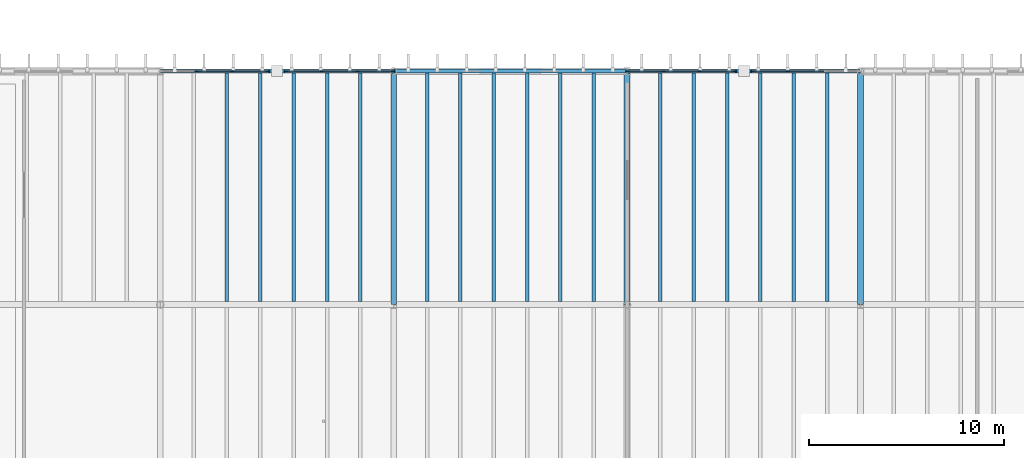
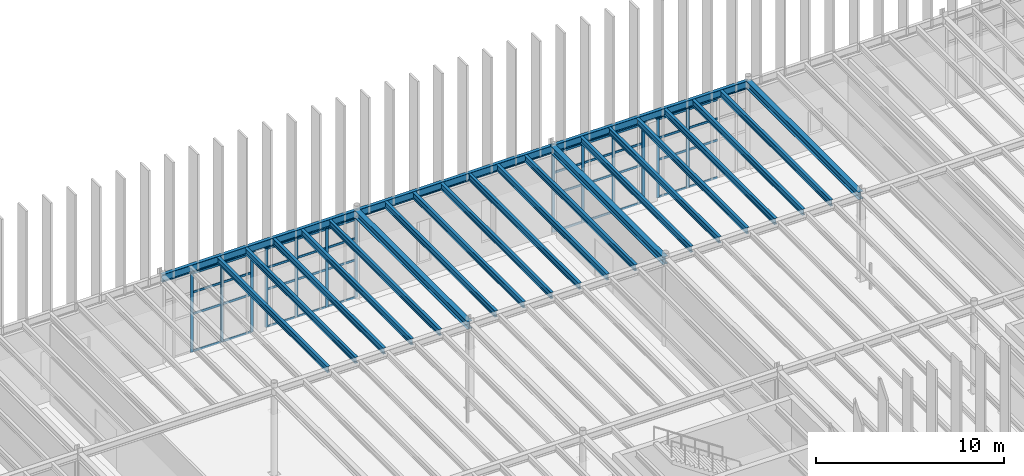
# One storey, part 28 of 83: 53 members, 23 beams, 4 elements without a shape of their own.
"""IFC4 building model written with IfcOpenShell, lengths in metres."""

from ifc_helpers import new_model, si_unit, direction, frame, origin, origin_2d, place, context, subcontext, project, spatial, rectangle, i_section, extrude, material, layer, layer_set, material_profile, profile_set, type_object, element, aggregate, save


model = new_model("IFC4")

# Units and contexts
model_context = context("Model", 3, precision=1e-05, world=origin(), true_north=direction((0.0, 1.0)))
body_context = subcontext(model_context, "Body", "Model", "MODEL_VIEW")
ifc_project = project(units=[si_unit("LENGTHUNIT", "METRE"), si_unit("AREAUNIT", "SQUARE_METRE"), si_unit("VOLUMEUNIT", "CUBIC_METRE"), si_unit("PLANEANGLEUNIT", "RADIAN"), si_unit("MASSUNIT", "GRAM", prefix="KILO")], contexts=[model_context])

# Site, building, storey
site_placement = place(None, origin())
site = spatial("IfcSite", under=ifc_project, at=site_placement, CompositionType="ELEMENT")
building_placement = place(site_placement, origin())
building = spatial("IfcBuilding", under=site, at=building_placement, Name="Zlatogorsky Bluff Art Gallery", CompositionType="ELEMENT")
storey_placement = place(building_placement, frame((0.0, 0.0, 10.800048828125)))
storey = spatial("IfcBuildingStorey", under=building, at=storey_placement, Name="L02", CompositionType="ELEMENT", Elevation=10.800048828125)

# Beams
ifc_material_1 = material(Name="Steel S355", Category="steel")
ifc_material_profile_1 = material_profile(ifc_material_1, i_section(OverallWidth=0.300048828125, OverallDepth=0.489990234375, WebThickness=0.011962890625, FlangeThickness=0.02294921875, FilletRadius=0.027099609375, at=origin_2d()), Name="HEA 500")
ifc_profile_set_1 = profile_set([ifc_material_profile_1], Name="Steel S355")
beam_type_1 = type_object("IfcBeamType", Name="Beam BM-07 HEA 500", PredefinedType="BEAM", material=ifc_profile_set_1)
for number, where, z_axis, x_axis, name in (
    (1, (72.0, 108.014892578125, 5.445068359375), (0.0, 1.0, 0.0), (-1.0, 0.0, 0.0), "Primary girder BM-07 L02 G/11-12"),
    (2, (84.0, 108.014892578125, 5.445068359375), (0.0, 1.0, 0.0), (-1.0, 0.0, 0.0), "Primary girder BM-07 L02 H/11-12"),
    (3, (96.0, 108.014892578125, 5.445068359375), (0.0, 1.0, 0.0), (-1.0, 0.0, 0.0), "Primary girder BM-07 L02 J/11-12"),
):
    element("IfcBeam", number, at=place(storey_placement, frame(where, z_axis=z_axis, x_axis=x_axis)), inside=storey, type_object=beam_type_1, Name=name, PredefinedType="BEAM", context=body_context, shape_type="SweptSolid", body=[
        extrude(i_section(OverallWidth=0.300048828125, OverallDepth=0.489990234375, WebThickness=0.011962890625, FlangeThickness=0.02294921875, FilletRadius=0.027099609375, at=origin_2d()), origin(), (0.0, 0.0, 1.0), 11.97021484375),
    ])
ifc_material_profile_2 = material_profile(ifc_material_1, i_section(OverallWidth=0.179931640625, OverallDepth=0.39990234375, WebThickness=0.008544921875, FlangeThickness=0.013427734375, FilletRadius=0.02099609375, at=origin_2d()), Name="IPE 400")
ifc_profile_set_2 = profile_set([ifc_material_profile_2], Name="Steel S355")
beam_type_2 = type_object("IfcBeamType", Name="Beam JS-05 IPE 400", PredefinedType="JOIST", material=ifc_profile_set_2)
for number, where, z_axis, x_axis, name in (
    (4, (63.428466796875, 108.14990234375, 5.489990234375), (0.0, 1.0, 0.0), (-1.0, 0.0, 0.0), "Composite floor joist JS-05 L02 05.10.2"),
    (5, (65.142822265625, 108.14990234375, 5.489990234375), (0.0, 1.0, 0.0), (-1.0, 0.0, 0.0), "Composite floor joist JS-05 L02 05.10.3"),
    (6, (66.857177734375, 108.14990234375, 5.489990234375), (0.0, 1.0, 0.0), (-1.0, 0.0, 0.0), "Composite floor joist JS-05 L02 05.10.4"),
    (7, (68.571533203125, 108.14990234375, 5.489990234375), (0.0, 1.0, 0.0), (-1.0, 0.0, 0.0), "Composite floor joist JS-05 L02 05.10.5"),
    (8, (70.28564453125, 108.14990234375, 5.489990234375), (0.0, 1.0, 0.0), (-1.0, 0.0, 0.0), "Composite floor joist JS-05 L02 05.10.6"),
    (9, (73.71435546875, 108.14990234375, 5.489990234375), (0.0, 1.0, 0.0), (-1.0, 0.0, 0.0), "Composite floor joist JS-05 L02 06.10.1"),
    (10, (75.428466796875, 108.14990234375, 5.489990234375), (0.0, 1.0, 0.0), (-1.0, 0.0, 0.0), "Composite floor joist JS-05 L02 06.10.2"),
    (11, (77.142822265625, 108.14990234375, 5.489990234375), (0.0, 1.0, 0.0), (-1.0, 0.0, 0.0), "Composite floor joist JS-05 L02 06.10.3"),
    (12, (78.857177734375, 108.14990234375, 5.489990234375), (0.0, 1.0, 0.0), (-1.0, 0.0, 0.0), "Composite floor joist JS-05 L02 06.10.4"),
    (13, (80.571533203125, 108.14990234375, 5.489990234375), (0.0, 1.0, 0.0), (-1.0, 0.0, 0.0), "Composite floor joist JS-05 L02 06.10.5"),
    (14, (82.28564453125, 108.14990234375, 5.489990234375), (0.0, 1.0, 0.0), (-1.0, 0.0, 0.0), "Composite floor joist JS-05 L02 06.10.6"),
    (15, (85.71435546875, 108.14990234375, 5.489990234375), (0.0, 1.0, 0.0), (-1.0, 0.0, 0.0), "Composite floor joist JS-05 L02 07.10.1"),
    (16, (87.428466796875, 108.14990234375, 5.489990234375), (0.0, 1.0, 0.0), (-1.0, 0.0, 0.0), "Composite floor joist JS-05 L02 07.10.2"),
    (17, (89.142822265625, 108.14990234375, 5.489990234375), (0.0, 1.0, 0.0), (-1.0, 0.0, 0.0), "Composite floor joist JS-05 L02 07.10.3"),
    (18, (90.857177734375, 108.14990234375, 5.489990234375), (0.0, 1.0, 0.0), (-1.0, 0.0, 0.0), "Composite floor joist JS-05 L02 07.10.4"),
    (19, (92.571533203125, 108.14990234375, 5.489990234375), (0.0, 1.0, 0.0), (-1.0, 0.0, 0.0), "Composite floor joist JS-05 L02 07.10.5"),
    (20, (94.28564453125, 108.14990234375, 5.489990234375), (0.0, 1.0, 0.0), (-1.0, 0.0, 0.0), "Composite floor joist JS-05 L02 07.10.6"),
):
    element("IfcBeam", number, at=place(storey_placement, frame(where, z_axis=z_axis, x_axis=x_axis)), inside=storey, type_object=beam_type_2, Name=name, PredefinedType="JOIST", context=body_context, shape_type="SweptSolid", body=[
        extrude(i_section(OverallWidth=0.179931640625, OverallDepth=0.39990234375, WebThickness=0.008544921875, FlangeThickness=0.013427734375, FilletRadius=0.02099609375, at=origin_2d()), origin(), (0.0, 0.0, 1.0), 11.75),
    ])
ifc_material_profile_3 = material_profile(ifc_material_1, i_section(OverallWidth=0.199951171875, OverallDepth=0.5, WebThickness=0.01025390625, FlangeThickness=0.01611328125, FilletRadius=0.02099609375, at=origin_2d()), Name="IPE 500")
ifc_profile_set_3 = profile_set([ifc_material_profile_3], Name="Steel S355")
beam_type_3 = type_object("IfcBeamType", Name="Beam SP-01 IPE 500", PredefinedType="SPANDREL", material=ifc_profile_set_3)
for number, where, z_axis, x_axis, name in (
    (21, (60.014892578125, 120.0, 5.43994140625), (1.0, 0.0, 0.0), (0.0, 1.0, 0.0), "Primary girder SP-01 L02 F-G/12"),
    (22, (72.014892578125, 120.0, 5.43994140625), (1.0, 0.0, 0.0), (0.0, 1.0, 0.0), "Primary girder SP-01 L02 G-H/12"),
    (23, (84.014892578125, 120.0, 5.43994140625), (1.0, 0.0, 0.0), (0.0, 1.0, 0.0), "Primary girder SP-01 L02 H-J/12"),
):
    element("IfcBeam", number, at=place(storey_placement, frame(where, z_axis=z_axis, x_axis=x_axis)), inside=storey, type_object=beam_type_3, Name=name, PredefinedType="SPANDREL", context=body_context, shape_type="SweptSolid", body=[
        extrude(i_section(OverallWidth=0.199951171875, OverallDepth=0.5, WebThickness=0.01025390625, FlangeThickness=0.01611328125, FilletRadius=0.02099609375, at=origin_2d()), origin(), (0.0, 0.0, 1.0), 11.97021484375),
    ])

# Curtain wall, members
ifc_material_2 = material(Name="Anodised Bronze Aluminium and Low-Iron Triple Glazing", Category="aluminium")
ifc_layer = layer(ifc_material_2, 0.219970703125)
ifc_layer_set = layer_set([ifc_layer], Name="Curtain Wall CW-04")
curtain_wall_type = type_object("IfcCurtainWallType", Name="Curtain Wall CW-04", PredefinedType="USERDEFINED", material=ifc_layer_set)
curtain_wall_1_placement = place(storey_placement, origin())
curtain_wall_1 = element("IfcCurtainWall", 24, at=curtain_wall_1_placement, inside=storey, type_object=curtain_wall_type, Name="Unitised curtain wall CW-04 L02 N 5.10-A", ObjectType="CURTAIN WALL", PredefinedType="USERDEFINED")
ifc_material_3 = material(Name="Anodised Bronze Aluminium", Category="aluminium")
ifc_material_profile_4 = material_profile(ifc_material_3, rectangle(XDim=0.06494140625, YDim=0.179931640625, at=origin_2d()), Name="ALU MULLION 65x180")
ifc_profile_set_4 = profile_set([ifc_material_profile_4], Name="Anodised Bronze Aluminium")
member_type_1 = type_object("IfcMemberType", Name="Curtain Mullion ML-01", PredefinedType="MULLION", material=ifc_profile_set_4)
member_1_placement = place(storey_placement, frame((71.967529296875, 120.0, 0.0), z_axis=(0.0, 0.0, 1.0), x_axis=(0.0, -1.0, 0.0)))
member_1 = element("IfcMember", 25, at=member_1_placement, type_object=member_type_1, Name="CW-04 mullion 1", PredefinedType="MULLION", context=body_context, shape_type="SweptSolid", body=[
    extrude(rectangle(XDim=0.06494140625, YDim=0.179931640625, at=origin_2d()), origin(), (0.0, 0.0, 1.0), 5.10986328125),
])
member_2_placement = place(storey_placement, frame((70.139892578125, 120.0, 0.0), z_axis=(0.0, 0.0, 1.0), x_axis=(0.0, -1.0, 0.0)))
member_2 = element("IfcMember", 26, at=member_2_placement, type_object=member_type_1, Name="CW-04 mullion 2", PredefinedType="MULLION", context=body_context, shape_type="SweptSolid", body=[
    extrude(rectangle(XDim=0.06494140625, YDim=0.179931640625, at=origin_2d()), origin(), (0.0, 0.0, 1.0), 5.10986328125),
])
member_3_placement = place(storey_placement, frame((68.280029296875, 120.0, 0.0), z_axis=(0.0, 0.0, 1.0), x_axis=(0.0, -1.0, 0.0)))
member_3 = element("IfcMember", 27, at=member_3_placement, type_object=member_type_1, Name="CW-04 mullion 3", PredefinedType="MULLION", context=body_context, shape_type="SweptSolid", body=[
    extrude(rectangle(XDim=0.06494140625, YDim=0.179931640625, at=origin_2d()), origin(), (0.0, 0.0, 1.0), 5.10986328125),
])
member_4_placement = place(storey_placement, frame((66.452392578125, 120.0, 0.0), z_axis=(0.0, 0.0, 1.0), x_axis=(0.0, -1.0, 0.0)))
member_4 = element("IfcMember", 28, at=member_4_placement, type_object=member_type_1, Name="CW-04 mullion 4", PredefinedType="MULLION", context=body_context, shape_type="SweptSolid", body=[
    extrude(rectangle(XDim=0.06494140625, YDim=0.179931640625, at=origin_2d()), origin(), (0.0, 0.0, 1.0), 5.10986328125),
])

curtain_wall_2_placement = place(storey_placement, origin())
curtain_wall_2 = element("IfcCurtainWall", 29, at=curtain_wall_2_placement, inside=storey, type_object=curtain_wall_type, Name="Unitised curtain wall CW-04 L02 N 5.10-B", ObjectType="CURTAIN WALL", PredefinedType="USERDEFINED")
member_5_placement = place(storey_placement, frame((65.547607421875, 120.0, 0.0), z_axis=(0.0, 0.0, 1.0), x_axis=(0.0, -1.0, 0.0)))
member_5 = element("IfcMember", 30, at=member_5_placement, type_object=member_type_1, Name="CW-04 mullion 1", PredefinedType="MULLION", context=body_context, shape_type="SweptSolid", body=[
    extrude(rectangle(XDim=0.06494140625, YDim=0.179931640625, at=origin_2d()), origin(), (0.0, 0.0, 1.0), 5.10986328125),
])
member_6_placement = place(storey_placement, frame((63.719970703125, 120.0, 0.0), z_axis=(0.0, 0.0, 1.0), x_axis=(0.0, -1.0, 0.0)))
member_6 = element("IfcMember", 31, at=member_6_placement, type_object=member_type_1, Name="CW-04 mullion 2", PredefinedType="MULLION", context=body_context, shape_type="SweptSolid", body=[
    extrude(rectangle(XDim=0.06494140625, YDim=0.179931640625, at=origin_2d()), origin(), (0.0, 0.0, 1.0), 5.10986328125),
])
member_7_placement = place(storey_placement, frame((61.860107421875, 120.0, 0.0), z_axis=(0.0, 0.0, 1.0), x_axis=(0.0, -1.0, 0.0)))
member_7 = element("IfcMember", 32, at=member_7_placement, type_object=member_type_1, Name="CW-04 mullion 3", PredefinedType="MULLION", context=body_context, shape_type="SweptSolid", body=[
    extrude(rectangle(XDim=0.06494140625, YDim=0.179931640625, at=origin_2d()), origin(), (0.0, 0.0, 1.0), 5.10986328125),
])

curtain_wall_3_placement = place(storey_placement, origin())
curtain_wall_3 = element("IfcCurtainWall", 33, at=curtain_wall_3_placement, inside=storey, type_object=curtain_wall_type, Name="Unitised curtain wall CW-04 L02 N 7.10-A", ObjectType="CURTAIN WALL", PredefinedType="USERDEFINED")
member_8_placement = place(storey_placement, frame((92.280029296875, 120.0, 0.0), z_axis=(0.0, 0.0, 1.0), x_axis=(0.0, -1.0, 0.0)))
member_8 = element("IfcMember", 34, at=member_8_placement, type_object=member_type_1, Name="CW-04 mullion 3", PredefinedType="MULLION", context=body_context, shape_type="SweptSolid", body=[
    extrude(rectangle(XDim=0.06494140625, YDim=0.179931640625, at=origin_2d()), origin(), (0.0, 0.0, 1.0), 5.10986328125),
])
member_9_placement = place(storey_placement, frame((90.452392578125, 120.0, 0.0), z_axis=(0.0, 0.0, 1.0), x_axis=(0.0, -1.0, 0.0)))
member_9 = element("IfcMember", 35, at=member_9_placement, type_object=member_type_1, Name="CW-04 mullion 4", PredefinedType="MULLION", context=body_context, shape_type="SweptSolid", body=[
    extrude(rectangle(XDim=0.06494140625, YDim=0.179931640625, at=origin_2d()), origin(), (0.0, 0.0, 1.0), 5.10986328125),
])

curtain_wall_4_placement = place(storey_placement, origin())
curtain_wall_4 = element("IfcCurtainWall", 36, at=curtain_wall_4_placement, inside=storey, type_object=curtain_wall_type, Name="Unitised curtain wall CW-04 L02 N 7.10-B", ObjectType="CURTAIN WALL", PredefinedType="USERDEFINED")
member_10_placement = place(storey_placement, frame((89.547607421875, 120.0, 0.0), z_axis=(0.0, 0.0, 1.0), x_axis=(0.0, -1.0, 0.0)))
member_10 = element("IfcMember", 37, at=member_10_placement, type_object=member_type_1, Name="CW-04 mullion 1", PredefinedType="MULLION", context=body_context, shape_type="SweptSolid", body=[
    extrude(rectangle(XDim=0.06494140625, YDim=0.179931640625, at=origin_2d()), origin(), (0.0, 0.0, 1.0), 5.10986328125),
])
member_11_placement = place(storey_placement, frame((87.719970703125, 120.0, 0.0), z_axis=(0.0, 0.0, 1.0), x_axis=(0.0, -1.0, 0.0)))
member_11 = element("IfcMember", 38, at=member_11_placement, type_object=member_type_1, Name="CW-04 mullion 2", PredefinedType="MULLION", context=body_context, shape_type="SweptSolid", body=[
    extrude(rectangle(XDim=0.06494140625, YDim=0.179931640625, at=origin_2d()), origin(), (0.0, 0.0, 1.0), 5.10986328125),
])
member_12_placement = place(storey_placement, frame((85.860107421875, 120.0, 0.0), z_axis=(0.0, 0.0, 1.0), x_axis=(0.0, -1.0, 0.0)))
member_12 = element("IfcMember", 39, at=member_12_placement, type_object=member_type_1, Name="CW-04 mullion 3", PredefinedType="MULLION", context=body_context, shape_type="SweptSolid", body=[
    extrude(rectangle(XDim=0.06494140625, YDim=0.179931640625, at=origin_2d()), origin(), (0.0, 0.0, 1.0), 5.10986328125),
])
member_13_placement = place(storey_placement, frame((84.032470703125, 120.0, 0.0), z_axis=(0.0, 0.0, 1.0), x_axis=(0.0, -1.0, 0.0)))
member_13 = element("IfcMember", 40, at=member_13_placement, type_object=member_type_1, Name="CW-04 mullion 4", PredefinedType="MULLION", context=body_context, shape_type="SweptSolid", body=[
    extrude(rectangle(XDim=0.06494140625, YDim=0.179931640625, at=origin_2d()), origin(), (0.0, 0.0, 1.0), 5.10986328125),
])

# Member
ifc_material_profile_5 = material_profile(ifc_material_3, rectangle(XDim=0.06494140625, YDim=0.139892578125, at=origin_2d()), Name="ALU TRANSOM 65x140")
ifc_profile_set_5 = profile_set([ifc_material_profile_5], Name="Anodised Bronze Aluminium")
member_type_2 = type_object("IfcMemberType", Name="Curtain Transom TR-01", PredefinedType="USERDEFINED", material=ifc_profile_set_5)
member_14_placement = place(storey_placement, frame((71.93505859375, 120.0, 0.032470703125), z_axis=(-1.0, 0.0, 0.0), x_axis=(0.0, -1.0, 0.0)))
member_14 = element("IfcMember", 41, at=member_14_placement, type_object=member_type_2, Name="CW-04 transom 1.1", ObjectType="TRANSOM", PredefinedType="USERDEFINED", context=body_context, shape_type="SweptSolid", body=[
    extrude(rectangle(XDim=0.06494140625, YDim=0.139892578125, at=origin_2d()), origin(), (0.0, 0.0, 1.0), 1.762451171875),
])

member_15_placement = place(storey_placement, frame((71.93505859375, 120.0, 2.449951171875), z_axis=(-1.0, 0.0, 0.0), x_axis=(0.0, -1.0, 0.0)))
member_15 = element("IfcMember", 42, at=member_15_placement, type_object=member_type_2, Name="CW-04 transom 1.2", ObjectType="TRANSOM", PredefinedType="USERDEFINED", context=body_context, shape_type="SweptSolid", body=[
    extrude(rectangle(XDim=0.06494140625, YDim=0.139892578125, at=origin_2d()), origin(), (0.0, 0.0, 1.0), 1.762451171875),
])

member_16_placement = place(storey_placement, frame((71.93505859375, 120.0, 3.849853515625), z_axis=(-1.0, 0.0, 0.0), x_axis=(0.0, -1.0, 0.0)))
member_16 = element("IfcMember", 43, at=member_16_placement, type_object=member_type_2, Name="CW-04 transom 1.3", ObjectType="TRANSOM", PredefinedType="USERDEFINED", context=body_context, shape_type="SweptSolid", body=[
    extrude(rectangle(XDim=0.06494140625, YDim=0.139892578125, at=origin_2d()), origin(), (0.0, 0.0, 1.0), 1.762451171875),
])

member_17_placement = place(storey_placement, frame((71.93505859375, 120.0, 5.077392578125), z_axis=(-1.0, 0.0, 0.0), x_axis=(0.0, -1.0, 0.0)))
member_17 = element("IfcMember", 44, at=member_17_placement, type_object=member_type_2, Name="CW-04 transom 1.4", ObjectType="TRANSOM", PredefinedType="USERDEFINED", context=body_context, shape_type="SweptSolid", body=[
    extrude(rectangle(XDim=0.06494140625, YDim=0.139892578125, at=origin_2d()), origin(), (0.0, 0.0, 1.0), 1.762451171875),
])

member_18_placement = place(storey_placement, frame((70.107421875, 120.0, 0.032470703125), z_axis=(-1.0, 0.0, 0.0), x_axis=(0.0, -1.0, 0.0)))
member_18 = element("IfcMember", 45, at=member_18_placement, type_object=member_type_2, Name="CW-04 transom 2.1", ObjectType="TRANSOM", PredefinedType="USERDEFINED", context=body_context, shape_type="SweptSolid", body=[
    extrude(rectangle(XDim=0.06494140625, YDim=0.139892578125, at=origin_2d()), origin(), (0.0, 0.0, 1.0), 1.794921875),
])

member_19_placement = place(storey_placement, frame((70.107421875, 120.0, 2.449951171875), z_axis=(-1.0, 0.0, 0.0), x_axis=(0.0, -1.0, 0.0)))
member_19 = element("IfcMember", 46, at=member_19_placement, type_object=member_type_2, Name="CW-04 transom 2.2", ObjectType="TRANSOM", PredefinedType="USERDEFINED", context=body_context, shape_type="SweptSolid", body=[
    extrude(rectangle(XDim=0.06494140625, YDim=0.139892578125, at=origin_2d()), origin(), (0.0, 0.0, 1.0), 1.794921875),
])

member_20_placement = place(storey_placement, frame((70.107421875, 120.0, 3.849853515625), z_axis=(-1.0, 0.0, 0.0), x_axis=(0.0, -1.0, 0.0)))
member_20 = element("IfcMember", 47, at=member_20_placement, type_object=member_type_2, Name="CW-04 transom 2.3", ObjectType="TRANSOM", PredefinedType="USERDEFINED", context=body_context, shape_type="SweptSolid", body=[
    extrude(rectangle(XDim=0.06494140625, YDim=0.139892578125, at=origin_2d()), origin(), (0.0, 0.0, 1.0), 1.794921875),
])

member_21_placement = place(storey_placement, frame((70.107421875, 120.0, 5.077392578125), z_axis=(-1.0, 0.0, 0.0), x_axis=(0.0, -1.0, 0.0)))
member_21 = element("IfcMember", 48, at=member_21_placement, type_object=member_type_2, Name="CW-04 transom 2.4", ObjectType="TRANSOM", PredefinedType="USERDEFINED", context=body_context, shape_type="SweptSolid", body=[
    extrude(rectangle(XDim=0.06494140625, YDim=0.139892578125, at=origin_2d()), origin(), (0.0, 0.0, 1.0), 1.794921875),
])

member_22_placement = place(storey_placement, frame((68.24755859375, 120.0, 0.032470703125), z_axis=(-1.0, 0.0, 0.0), x_axis=(0.0, -1.0, 0.0)))
member_22 = element("IfcMember", 49, at=member_22_placement, type_object=member_type_2, Name="CW-04 transom 3.1", ObjectType="TRANSOM", PredefinedType="USERDEFINED", context=body_context, shape_type="SweptSolid", body=[
    extrude(rectangle(XDim=0.06494140625, YDim=0.139892578125, at=origin_2d()), origin(), (0.0, 0.0, 1.0), 1.762451171875),
])

member_23_placement = place(storey_placement, frame((68.24755859375, 120.0, 2.449951171875), z_axis=(-1.0, 0.0, 0.0), x_axis=(0.0, -1.0, 0.0)))
member_23 = element("IfcMember", 50, at=member_23_placement, type_object=member_type_2, Name="CW-04 transom 3.2", ObjectType="TRANSOM", PredefinedType="USERDEFINED", context=body_context, shape_type="SweptSolid", body=[
    extrude(rectangle(XDim=0.06494140625, YDim=0.139892578125, at=origin_2d()), origin(), (0.0, 0.0, 1.0), 1.762451171875),
])

member_24_placement = place(storey_placement, frame((68.24755859375, 120.0, 3.849853515625), z_axis=(-1.0, 0.0, 0.0), x_axis=(0.0, -1.0, 0.0)))
member_24 = element("IfcMember", 51, at=member_24_placement, type_object=member_type_2, Name="CW-04 transom 3.3", ObjectType="TRANSOM", PredefinedType="USERDEFINED", context=body_context, shape_type="SweptSolid", body=[
    extrude(rectangle(XDim=0.06494140625, YDim=0.139892578125, at=origin_2d()), origin(), (0.0, 0.0, 1.0), 1.762451171875),
])

member_25_placement = place(storey_placement, frame((68.24755859375, 120.0, 5.077392578125), z_axis=(-1.0, 0.0, 0.0), x_axis=(0.0, -1.0, 0.0)))
member_25 = element("IfcMember", 52, at=member_25_placement, type_object=member_type_2, Name="CW-04 transom 3.4", ObjectType="TRANSOM", PredefinedType="USERDEFINED", context=body_context, shape_type="SweptSolid", body=[
    extrude(rectangle(XDim=0.06494140625, YDim=0.139892578125, at=origin_2d()), origin(), (0.0, 0.0, 1.0), 1.762451171875),
])

aggregate(curtain_wall_1, [member_1, member_2, member_3, member_4, member_14, member_15, member_16, member_17, member_18, member_19, member_20, member_21, member_22, member_23, member_24, member_25])

member_26_placement = place(storey_placement, frame((65.514892578125, 120.0, 0.032470703125), z_axis=(-1.0, 0.0, 0.0), x_axis=(0.0, -1.0, 0.0)))
member_26 = element("IfcMember", 53, at=member_26_placement, type_object=member_type_2, Name="CW-04 transom 1.1", ObjectType="TRANSOM", PredefinedType="USERDEFINED", context=body_context, shape_type="SweptSolid", body=[
    extrude(rectangle(XDim=0.06494140625, YDim=0.139892578125, at=origin_2d()), origin(), (0.0, 0.0, 1.0), 1.762451171875),
])

member_27_placement = place(storey_placement, frame((65.514892578125, 120.0, 2.449951171875), z_axis=(-1.0, 0.0, 0.0), x_axis=(0.0, -1.0, 0.0)))
member_27 = element("IfcMember", 54, at=member_27_placement, type_object=member_type_2, Name="CW-04 transom 1.2", ObjectType="TRANSOM", PredefinedType="USERDEFINED", context=body_context, shape_type="SweptSolid", body=[
    extrude(rectangle(XDim=0.06494140625, YDim=0.139892578125, at=origin_2d()), origin(), (0.0, 0.0, 1.0), 1.762451171875),
])

member_28_placement = place(storey_placement, frame((65.514892578125, 120.0, 3.849853515625), z_axis=(-1.0, 0.0, 0.0), x_axis=(0.0, -1.0, 0.0)))
member_28 = element("IfcMember", 55, at=member_28_placement, type_object=member_type_2, Name="CW-04 transom 1.3", ObjectType="TRANSOM", PredefinedType="USERDEFINED", context=body_context, shape_type="SweptSolid", body=[
    extrude(rectangle(XDim=0.06494140625, YDim=0.139892578125, at=origin_2d()), origin(), (0.0, 0.0, 1.0), 1.762451171875),
])

member_29_placement = place(storey_placement, frame((65.514892578125, 120.0, 5.077392578125), z_axis=(-1.0, 0.0, 0.0), x_axis=(0.0, -1.0, 0.0)))
member_29 = element("IfcMember", 56, at=member_29_placement, type_object=member_type_2, Name="CW-04 transom 1.4", ObjectType="TRANSOM", PredefinedType="USERDEFINED", context=body_context, shape_type="SweptSolid", body=[
    extrude(rectangle(XDim=0.06494140625, YDim=0.139892578125, at=origin_2d()), origin(), (0.0, 0.0, 1.0), 1.762451171875),
])

member_30_placement = place(storey_placement, frame((63.6875, 120.0, 0.032470703125), z_axis=(-1.0, 0.0, 0.0), x_axis=(0.0, -1.0, 0.0)))
member_30 = element("IfcMember", 57, at=member_30_placement, type_object=member_type_2, Name="CW-04 transom 2.1", ObjectType="TRANSOM", PredefinedType="USERDEFINED", context=body_context, shape_type="SweptSolid", body=[
    extrude(rectangle(XDim=0.06494140625, YDim=0.139892578125, at=origin_2d()), origin(), (0.0, 0.0, 1.0), 1.794921875),
])

member_31_placement = place(storey_placement, frame((63.6875, 120.0, 2.449951171875), z_axis=(-1.0, 0.0, 0.0), x_axis=(0.0, -1.0, 0.0)))
member_31 = element("IfcMember", 58, at=member_31_placement, type_object=member_type_2, Name="CW-04 transom 2.2", ObjectType="TRANSOM", PredefinedType="USERDEFINED", context=body_context, shape_type="SweptSolid", body=[
    extrude(rectangle(XDim=0.06494140625, YDim=0.139892578125, at=origin_2d()), origin(), (0.0, 0.0, 1.0), 1.794921875),
])

member_32_placement = place(storey_placement, frame((63.6875, 120.0, 3.849853515625), z_axis=(-1.0, 0.0, 0.0), x_axis=(0.0, -1.0, 0.0)))
member_32 = element("IfcMember", 59, at=member_32_placement, type_object=member_type_2, Name="CW-04 transom 2.3", ObjectType="TRANSOM", PredefinedType="USERDEFINED", context=body_context, shape_type="SweptSolid", body=[
    extrude(rectangle(XDim=0.06494140625, YDim=0.139892578125, at=origin_2d()), origin(), (0.0, 0.0, 1.0), 1.794921875),
])

member_33_placement = place(storey_placement, frame((63.6875, 120.0, 5.077392578125), z_axis=(-1.0, 0.0, 0.0), x_axis=(0.0, -1.0, 0.0)))
member_33 = element("IfcMember", 60, at=member_33_placement, type_object=member_type_2, Name="CW-04 transom 2.4", ObjectType="TRANSOM", PredefinedType="USERDEFINED", context=body_context, shape_type="SweptSolid", body=[
    extrude(rectangle(XDim=0.06494140625, YDim=0.139892578125, at=origin_2d()), origin(), (0.0, 0.0, 1.0), 1.794921875),
])

aggregate(curtain_wall_2, [member_5, member_6, member_7, member_26, member_27, member_28, member_29, member_30, member_31, member_32, member_33])

member_34_placement = place(storey_placement, frame((94.107421875, 120.0, 0.032470703125), z_axis=(-1.0, 0.0, 0.0), x_axis=(0.0, -1.0, 0.0)))
member_34 = element("IfcMember", 61, at=member_34_placement, type_object=member_type_2, Name="CW-04 transom 2.1", ObjectType="TRANSOM", PredefinedType="USERDEFINED", context=body_context, shape_type="SweptSolid", body=[
    extrude(rectangle(XDim=0.06494140625, YDim=0.139892578125, at=origin_2d()), origin(), (0.0, 0.0, 1.0), 1.794921875),
])

member_35_placement = place(storey_placement, frame((94.107421875, 120.0, 2.449951171875), z_axis=(-1.0, 0.0, 0.0), x_axis=(0.0, -1.0, 0.0)))
member_35 = element("IfcMember", 62, at=member_35_placement, type_object=member_type_2, Name="CW-04 transom 2.2", ObjectType="TRANSOM", PredefinedType="USERDEFINED", context=body_context, shape_type="SweptSolid", body=[
    extrude(rectangle(XDim=0.06494140625, YDim=0.139892578125, at=origin_2d()), origin(), (0.0, 0.0, 1.0), 1.794921875),
])

member_36_placement = place(storey_placement, frame((94.107421875, 120.0, 3.849853515625), z_axis=(-1.0, 0.0, 0.0), x_axis=(0.0, -1.0, 0.0)))
member_36 = element("IfcMember", 63, at=member_36_placement, type_object=member_type_2, Name="CW-04 transom 2.3", ObjectType="TRANSOM", PredefinedType="USERDEFINED", context=body_context, shape_type="SweptSolid", body=[
    extrude(rectangle(XDim=0.06494140625, YDim=0.139892578125, at=origin_2d()), origin(), (0.0, 0.0, 1.0), 1.794921875),
])

member_37_placement = place(storey_placement, frame((94.107421875, 120.0, 5.077392578125), z_axis=(-1.0, 0.0, 0.0), x_axis=(0.0, -1.0, 0.0)))
member_37 = element("IfcMember", 64, at=member_37_placement, type_object=member_type_2, Name="CW-04 transom 2.4", ObjectType="TRANSOM", PredefinedType="USERDEFINED", context=body_context, shape_type="SweptSolid", body=[
    extrude(rectangle(XDim=0.06494140625, YDim=0.139892578125, at=origin_2d()), origin(), (0.0, 0.0, 1.0), 1.794921875),
])

member_38_placement = place(storey_placement, frame((92.24755859375, 120.0, 0.032470703125), z_axis=(-1.0, 0.0, 0.0), x_axis=(0.0, -1.0, 0.0)))
member_38 = element("IfcMember", 65, at=member_38_placement, type_object=member_type_2, Name="CW-04 transom 3.1", ObjectType="TRANSOM", PredefinedType="USERDEFINED", context=body_context, shape_type="SweptSolid", body=[
    extrude(rectangle(XDim=0.06494140625, YDim=0.139892578125, at=origin_2d()), origin(), (0.0, 0.0, 1.0), 1.762451171875),
])

member_39_placement = place(storey_placement, frame((92.24755859375, 120.0, 2.449951171875), z_axis=(-1.0, 0.0, 0.0), x_axis=(0.0, -1.0, 0.0)))
member_39 = element("IfcMember", 66, at=member_39_placement, type_object=member_type_2, Name="CW-04 transom 3.2", ObjectType="TRANSOM", PredefinedType="USERDEFINED", context=body_context, shape_type="SweptSolid", body=[
    extrude(rectangle(XDim=0.06494140625, YDim=0.139892578125, at=origin_2d()), origin(), (0.0, 0.0, 1.0), 1.762451171875),
])

member_40_placement = place(storey_placement, frame((92.24755859375, 120.0, 3.849853515625), z_axis=(-1.0, 0.0, 0.0), x_axis=(0.0, -1.0, 0.0)))
member_40 = element("IfcMember", 67, at=member_40_placement, type_object=member_type_2, Name="CW-04 transom 3.3", ObjectType="TRANSOM", PredefinedType="USERDEFINED", context=body_context, shape_type="SweptSolid", body=[
    extrude(rectangle(XDim=0.06494140625, YDim=0.139892578125, at=origin_2d()), origin(), (0.0, 0.0, 1.0), 1.762451171875),
])

member_41_placement = place(storey_placement, frame((92.24755859375, 120.0, 5.077392578125), z_axis=(-1.0, 0.0, 0.0), x_axis=(0.0, -1.0, 0.0)))
member_41 = element("IfcMember", 68, at=member_41_placement, type_object=member_type_2, Name="CW-04 transom 3.4", ObjectType="TRANSOM", PredefinedType="USERDEFINED", context=body_context, shape_type="SweptSolid", body=[
    extrude(rectangle(XDim=0.06494140625, YDim=0.139892578125, at=origin_2d()), origin(), (0.0, 0.0, 1.0), 1.762451171875),
])

aggregate(curtain_wall_3, [member_8, member_9, member_34, member_35, member_36, member_37, member_38, member_39, member_40, member_41])

member_42_placement = place(storey_placement, frame((89.514892578125, 120.0, 0.032470703125), z_axis=(-1.0, 0.0, 0.0), x_axis=(0.0, -1.0, 0.0)))
member_42 = element("IfcMember", 69, at=member_42_placement, type_object=member_type_2, Name="CW-04 transom 1.1", ObjectType="TRANSOM", PredefinedType="USERDEFINED", context=body_context, shape_type="SweptSolid", body=[
    extrude(rectangle(XDim=0.06494140625, YDim=0.139892578125, at=origin_2d()), origin(), (0.0, 0.0, 1.0), 1.762451171875),
])

member_43_placement = place(storey_placement, frame((89.514892578125, 120.0, 2.449951171875), z_axis=(-1.0, 0.0, 0.0), x_axis=(0.0, -1.0, 0.0)))
member_43 = element("IfcMember", 70, at=member_43_placement, type_object=member_type_2, Name="CW-04 transom 1.2", ObjectType="TRANSOM", PredefinedType="USERDEFINED", context=body_context, shape_type="SweptSolid", body=[
    extrude(rectangle(XDim=0.06494140625, YDim=0.139892578125, at=origin_2d()), origin(), (0.0, 0.0, 1.0), 1.762451171875),
])

member_44_placement = place(storey_placement, frame((89.514892578125, 120.0, 3.849853515625), z_axis=(-1.0, 0.0, 0.0), x_axis=(0.0, -1.0, 0.0)))
member_44 = element("IfcMember", 71, at=member_44_placement, type_object=member_type_2, Name="CW-04 transom 1.3", ObjectType="TRANSOM", PredefinedType="USERDEFINED", context=body_context, shape_type="SweptSolid", body=[
    extrude(rectangle(XDim=0.06494140625, YDim=0.139892578125, at=origin_2d()), origin(), (0.0, 0.0, 1.0), 1.762451171875),
])

member_45_placement = place(storey_placement, frame((89.514892578125, 120.0, 5.077392578125), z_axis=(-1.0, 0.0, 0.0), x_axis=(0.0, -1.0, 0.0)))
member_45 = element("IfcMember", 72, at=member_45_placement, type_object=member_type_2, Name="CW-04 transom 1.4", ObjectType="TRANSOM", PredefinedType="USERDEFINED", context=body_context, shape_type="SweptSolid", body=[
    extrude(rectangle(XDim=0.06494140625, YDim=0.139892578125, at=origin_2d()), origin(), (0.0, 0.0, 1.0), 1.762451171875),
])

member_46_placement = place(storey_placement, frame((87.6875, 120.0, 0.032470703125), z_axis=(-1.0, 0.0, 0.0), x_axis=(0.0, -1.0, 0.0)))
member_46 = element("IfcMember", 73, at=member_46_placement, type_object=member_type_2, Name="CW-04 transom 2.1", ObjectType="TRANSOM", PredefinedType="USERDEFINED", context=body_context, shape_type="SweptSolid", body=[
    extrude(rectangle(XDim=0.06494140625, YDim=0.139892578125, at=origin_2d()), origin(), (0.0, 0.0, 1.0), 1.794921875),
])

member_47_placement = place(storey_placement, frame((87.6875, 120.0, 2.449951171875), z_axis=(-1.0, 0.0, 0.0), x_axis=(0.0, -1.0, 0.0)))
member_47 = element("IfcMember", 74, at=member_47_placement, type_object=member_type_2, Name="CW-04 transom 2.2", ObjectType="TRANSOM", PredefinedType="USERDEFINED", context=body_context, shape_type="SweptSolid", body=[
    extrude(rectangle(XDim=0.06494140625, YDim=0.139892578125, at=origin_2d()), origin(), (0.0, 0.0, 1.0), 1.794921875),
])

member_48_placement = place(storey_placement, frame((87.6875, 120.0, 3.849853515625), z_axis=(-1.0, 0.0, 0.0), x_axis=(0.0, -1.0, 0.0)))
member_48 = element("IfcMember", 75, at=member_48_placement, type_object=member_type_2, Name="CW-04 transom 2.3", ObjectType="TRANSOM", PredefinedType="USERDEFINED", context=body_context, shape_type="SweptSolid", body=[
    extrude(rectangle(XDim=0.06494140625, YDim=0.139892578125, at=origin_2d()), origin(), (0.0, 0.0, 1.0), 1.794921875),
])

member_49_placement = place(storey_placement, frame((87.6875, 120.0, 5.077392578125), z_axis=(-1.0, 0.0, 0.0), x_axis=(0.0, -1.0, 0.0)))
member_49 = element("IfcMember", 76, at=member_49_placement, type_object=member_type_2, Name="CW-04 transom 2.4", ObjectType="TRANSOM", PredefinedType="USERDEFINED", context=body_context, shape_type="SweptSolid", body=[
    extrude(rectangle(XDim=0.06494140625, YDim=0.139892578125, at=origin_2d()), origin(), (0.0, 0.0, 1.0), 1.794921875),
])

member_50_placement = place(storey_placement, frame((85.827392578125, 120.0, 0.032470703125), z_axis=(-1.0, 0.0, 0.0), x_axis=(0.0, -1.0, 0.0)))
member_50 = element("IfcMember", 77, at=member_50_placement, type_object=member_type_2, Name="CW-04 transom 3.1", ObjectType="TRANSOM", PredefinedType="USERDEFINED", context=body_context, shape_type="SweptSolid", body=[
    extrude(rectangle(XDim=0.06494140625, YDim=0.139892578125, at=origin_2d()), origin(), (0.0, 0.0, 1.0), 1.762451171875),
])

member_51_placement = place(storey_placement, frame((85.827392578125, 120.0, 2.449951171875), z_axis=(-1.0, 0.0, 0.0), x_axis=(0.0, -1.0, 0.0)))
member_51 = element("IfcMember", 78, at=member_51_placement, type_object=member_type_2, Name="CW-04 transom 3.2", ObjectType="TRANSOM", PredefinedType="USERDEFINED", context=body_context, shape_type="SweptSolid", body=[
    extrude(rectangle(XDim=0.06494140625, YDim=0.139892578125, at=origin_2d()), origin(), (0.0, 0.0, 1.0), 1.762451171875),
])

member_52_placement = place(storey_placement, frame((85.827392578125, 120.0, 3.849853515625), z_axis=(-1.0, 0.0, 0.0), x_axis=(0.0, -1.0, 0.0)))
member_52 = element("IfcMember", 79, at=member_52_placement, type_object=member_type_2, Name="CW-04 transom 3.3", ObjectType="TRANSOM", PredefinedType="USERDEFINED", context=body_context, shape_type="SweptSolid", body=[
    extrude(rectangle(XDim=0.06494140625, YDim=0.139892578125, at=origin_2d()), origin(), (0.0, 0.0, 1.0), 1.762451171875),
])

member_53_placement = place(storey_placement, frame((85.827392578125, 120.0, 5.077392578125), z_axis=(-1.0, 0.0, 0.0), x_axis=(0.0, -1.0, 0.0)))
member_53 = element("IfcMember", 80, at=member_53_placement, type_object=member_type_2, Name="CW-04 transom 3.4", ObjectType="TRANSOM", PredefinedType="USERDEFINED", context=body_context, shape_type="SweptSolid", body=[
    extrude(rectangle(XDim=0.06494140625, YDim=0.139892578125, at=origin_2d()), origin(), (0.0, 0.0, 1.0), 1.762451171875),
])

aggregate(curtain_wall_4, [member_10, member_11, member_12, member_13, member_42, member_43, member_44, member_45, member_46, member_47, member_48, member_49, member_50, member_51, member_52, member_53])

save(model, "model.ifc")
